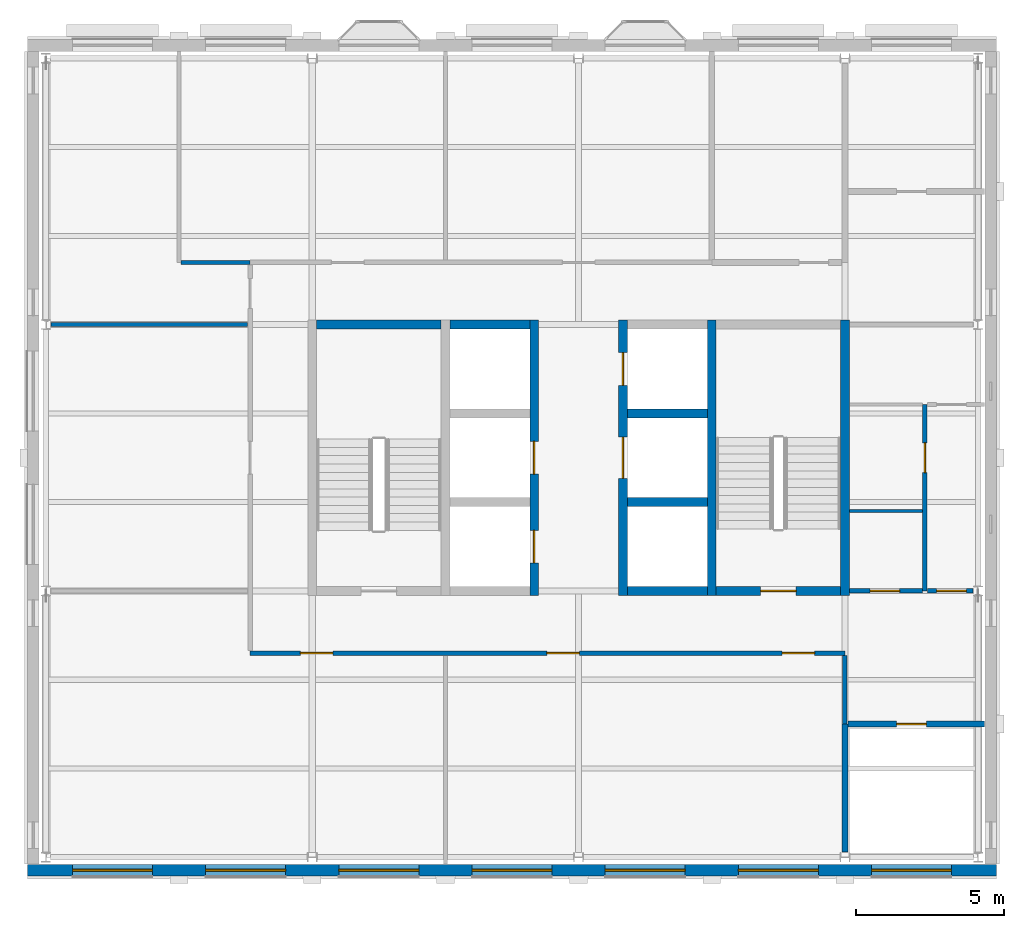
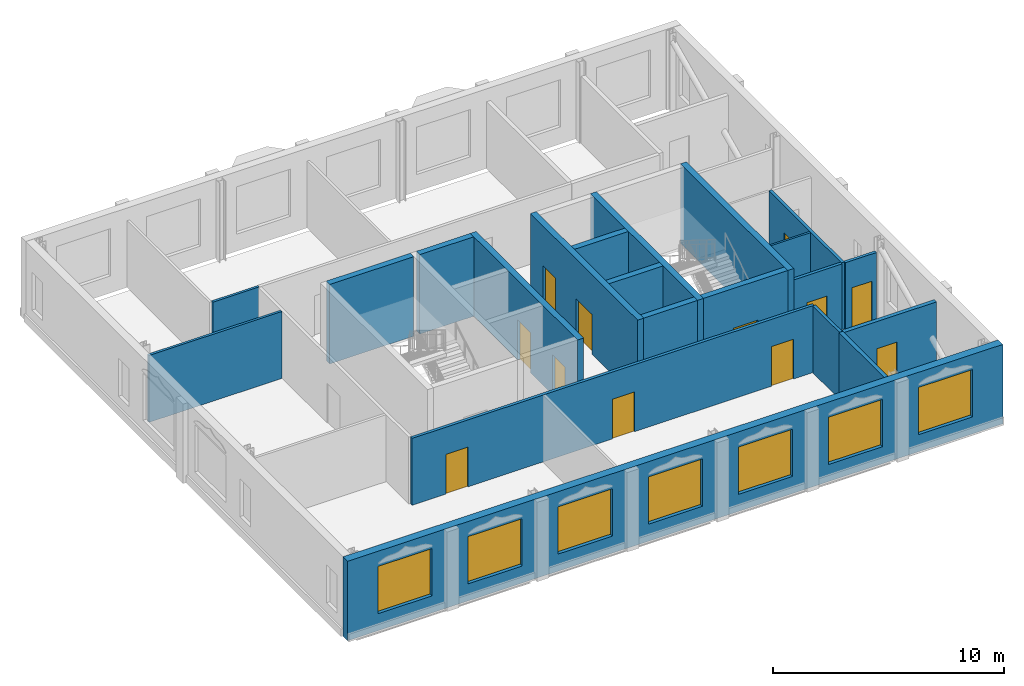
# One storey, part 4 of 9: 21 walls, 12 doors, 7 windows, 19 openings.
"""IFC4 building model written with IfcOpenShell, lengths in metres."""

from ifc_helpers import new_model, si_unit, direction, frame, frame_2d, origin, place, context, subcontext, project, spatial, rectangle, extrude, material, layer, layer_set, type_object, element, fill, save


model = new_model("IFC4")

# Units and contexts
model_context = context("Model", 3, precision=1e-05, world=origin(), true_north=direction((0.0, 1.0)))
body_context = subcontext(model_context, "Body", "Model", "MODEL_VIEW")
ifc_project = project(units=[si_unit("LENGTHUNIT", "METRE"), si_unit("AREAUNIT", "SQUARE_METRE"), si_unit("VOLUMEUNIT", "CUBIC_METRE"), si_unit("PLANEANGLEUNIT", "RADIAN"), si_unit("MASSUNIT", "GRAM", prefix="KILO")], contexts=[model_context])

# Site, building, storey
site_placement = place(None, origin())
site = spatial("IfcSite", under=ifc_project, at=site_placement, CompositionType="ELEMENT")
building_placement = place(site_placement, origin())
building = spatial("IfcBuilding", under=site, at=building_placement, Name="Hortulan Conservatory and Botanical Research Centre", CompositionType="ELEMENT")
storey_placement = place(building_placement, frame((0.0, 0.0, 31.800048828125)))
storey = spatial("IfcBuildingStorey", under=building, at=storey_placement, Name="L07", CompositionType="ELEMENT", Elevation=31.800048828125)

# Wall
ifc_material_1 = material(Name="Fire-rated plasterboard on steel studs", Category="steel")
ifc_layer_1 = layer(ifc_material_1, 0.199951171875)
ifc_layer_set_1 = layer_set([ifc_layer_1], Name="Compartment Partition 200")
wall_type_1 = type_object("IfcWallType", Name="Compartment Partition 200", PredefinedType="PARTITIONING", material=ifc_layer_set_1)
wall_1_placement = place(storey_placement, frame((27.0, 0.173583984375, 0.0), z_axis=(0.0, 0.0, 1.0), x_axis=(0.0, 1.0, 0.0)))
element("IfcWall", 1, at=wall_1_placement, inside=storey, type_object=wall_type_1, Name="Riser wall", PredefinedType="PARTITIONING", context=body_context, shape_type="SweptSolid", body=[
    extrude(rectangle(XDim=4.326416015625, YDim=0.199951171875, at=frame_2d((2.1630859375, 0.0))), origin(), (0.0, 0.0, 1.0), 3.536865234375),
])

# Wall, opening, door
wall_2_placement = place(storey_placement, frame((27.110107421875, 4.5, 0.0), z_axis=(0.0, 0.0, 1.0), x_axis=(1.0, 0.0, 0.0)))
wall_2 = element("IfcWall", 2, at=wall_2_placement, inside=storey, type_object=wall_type_1, Name="Riser wall", PredefinedType="PARTITIONING", context=body_context, shape_type="SweptSolid", body=[
    extrude(rectangle(XDim=4.60498046875, YDim=0.199951171875, at=frame_2d((2.302490234375, 0.0))), origin(), (0.0, 0.0, 1.0), 3.536865234375),
])
opening_1_placement = place(wall_2_placement, frame((1.639892578125, 0.0, 0.0)))
opening_1 = element("IfcOpeningElement", 3, at=opening_1_placement, cuts=wall_2, Name="Opening DT6", PredefinedType="OPENING", context=body_context, shape_type="SweptSolid", body=[
    extrude(rectangle(XDim=1.0, YDim=2.10009765625, at=frame_2d((0.5, 1.050048828125))), frame((0.0, 0.10986328125, 0.0), z_axis=(0.0, -1.0, 0.0), x_axis=(1.0, 0.0, 0.0)), (0.0, 0.0, 1.0), 0.219970703125),
])
ifc_material_2 = material(Name="Steel door leaf, insulated", Category="steel")
door_type_1 = type_object("IfcDoorType", Name="Fire Door 1000x2100 FRL -/120/30", OperationType="NOTDEFINED", PredefinedType="DOOR", material=ifc_material_2)
door_1_placement = place(opening_1_placement, frame((1.0, 0.0, 0.0), z_axis=(0.0, 0.0, 1.0), x_axis=(-1.0, 0.0, 0.0)))
door_1 = element("IfcDoor", 4, at=door_1_placement, inside=storey, type_object=door_type_1, Name="Door DT6 Services Riser", OperationType="SINGLE_SWING_LEFT", OverallHeight=2.10009765625, OverallWidth=1.0, PredefinedType="DOOR", context=body_context, shape_type="SweptSolid", body=[
    extrude(rectangle(XDim=1.0, YDim=2.10009765625, at=frame_2d((0.5, 1.050048828125))), frame((0.0, 0.02490234375, 0.0), z_axis=(0.0, -1.0, 0.0), x_axis=(1.0, 0.0, 0.0)), (0.0, 0.0, 1.0), 0.050048828125),
])
fill(opening_1, door_1)

# Wall, openings, doors
ifc_material_3 = material(Name="Concrete N50 (50 MPa, AS 3600)", Category="concrete")
ifc_layer_2 = layer(ifc_material_3, 0.300048828125)
ifc_layer_set_2 = layer_set([ifc_layer_2], Name="Core Wall 300 N50 FRL 240/120/120")
wall_type_2 = type_object("IfcWallType", Name="Core Wall 300 N50 FRL 240/120/120", PredefinedType="SHEAR", material=ifc_layer_set_2)
wall_3_placement = place(storey_placement, frame((16.5, 8.85009765625, 0.0), z_axis=(0.0, 0.0, 1.0), x_axis=(0.0, 1.0, 0.0)))
wall_3 = element("IfcWall", 5, at=wall_3_placement, inside=storey, type_object=wall_type_2, Name="Reinforced concrete shaft wall", PredefinedType="SHEAR", context=body_context, shape_type="SweptSolid", body=[
    extrude(rectangle(XDim=9.2998046875, YDim=0.300048828125, at=frame_2d((4.64990234375, 0.0))), origin(), (0.0, 0.0, 1.0), 4.199951171875),
])
opening_2_placement = place(wall_3_placement, frame((1.10009765625, 0.0, 0.0)))
opening_2 = element("IfcOpeningElement", 6, at=opening_2_placement, cuts=wall_3, Name="Opening LD1", PredefinedType="OPENING", context=body_context, shape_type="SweptSolid", body=[
    extrude(rectangle(XDim=1.10009765625, YDim=2.10009765625, at=frame_2d((0.550048828125, 1.050048828125))), frame((0.0, 0.159912109375, 0.0), z_axis=(0.0, -1.0, 0.0), x_axis=(1.0, 0.0, 0.0)), (0.0, 0.0, 1.0), 0.320068359375),
])
opening_3_placement = place(wall_3_placement, frame((4.10009765625, 0.0, 0.0)))
opening_3 = element("IfcOpeningElement", 7, at=opening_3_placement, cuts=wall_3, Name="Opening LD1", PredefinedType="OPENING", context=body_context, shape_type="SweptSolid", body=[
    extrude(rectangle(XDim=1.10009765625, YDim=2.10009765625, at=frame_2d((0.550048828125, 1.050048828125))), frame((0.0, 0.159912109375, 0.0), z_axis=(0.0, -1.0, 0.0), x_axis=(1.0, 0.0, 0.0)), (0.0, 0.0, 1.0), 0.320068359375),
])
ifc_material_4 = material(Name="Stainless steel door leaves in steel frame", Category="steel")
door_type_2 = type_object("IfcDoorType", Name="Lift Landing Door 1100x2100", OperationType="DOUBLE_DOOR_SLIDING", PredefinedType="DOOR", material=ifc_material_4)
door_2_placement = place(opening_2_placement, origin())
door_2 = element("IfcDoor", 8, at=door_2_placement, inside=storey, type_object=door_type_2, Name="Lift LP1 landing door L07", OperationType="DOUBLE_DOOR_SLIDING", OverallHeight=2.10009765625, OverallWidth=1.10009765625, PredefinedType="DOOR", context=body_context, shape_type="SweptSolid", body=[
    extrude(rectangle(XDim=1.10009765625, YDim=2.10009765625, at=frame_2d((0.550048828125, 1.050048828125))), frame((0.0, 0.02490234375, 0.0), z_axis=(0.0, -1.0, 0.0), x_axis=(1.0, 0.0, 0.0)), (0.0, 0.0, 1.0), 0.050048828125),
])
fill(opening_2, door_2)
door_3_placement = place(opening_3_placement, origin())
door_3 = element("IfcDoor", 9, at=door_3_placement, inside=storey, type_object=door_type_2, Name="Lift LP2 landing door L07", OperationType="DOUBLE_DOOR_SLIDING", OverallHeight=2.10009765625, OverallWidth=1.10009765625, PredefinedType="DOOR", context=body_context, shape_type="SweptSolid", body=[
    extrude(rectangle(XDim=1.10009765625, YDim=2.10009765625, at=frame_2d((0.550048828125, 1.050048828125))), frame((0.0, 0.02490234375, 0.0), z_axis=(0.0, -1.0, 0.0), x_axis=(1.0, 0.0, 0.0)), (0.0, 0.0, 1.0), 0.050048828125),
])
fill(opening_3, door_3)

wall_4_placement = place(storey_placement, frame((19.5, 8.85009765625, 0.0), z_axis=(0.0, 0.0, 1.0), x_axis=(0.0, 1.0, 0.0)))
wall_4 = element("IfcWall", 10, at=wall_4_placement, inside=storey, type_object=wall_type_2, Name="Reinforced concrete shaft wall", PredefinedType="SHEAR", context=body_context, shape_type="SweptSolid", body=[
    extrude(rectangle(XDim=9.2998046875, YDim=0.300048828125, at=frame_2d((4.64990234375, 0.0))), origin(), (0.0, 0.0, 1.0), 4.199951171875),
])
opening_4_placement = place(wall_4_placement, frame((3.949951171875, 0.0, 0.0)))
opening_4 = element("IfcOpeningElement", 11, at=opening_4_placement, cuts=wall_4, Name="Opening LD2", PredefinedType="OPENING", context=body_context, shape_type="SweptSolid", body=[
    extrude(rectangle(XDim=1.39990234375, YDim=2.10009765625, at=frame_2d((0.699951171875, 1.050048828125))), frame((0.0, 0.159912109375, 0.0), z_axis=(0.0, -1.0, 0.0), x_axis=(1.0, 0.0, 0.0)), (0.0, 0.0, 1.0), 0.320068359375),
])
opening_5_placement = place(wall_4_placement, frame((7.10009765625, 0.0, 0.0)))
opening_5 = element("IfcOpeningElement", 12, at=opening_5_placement, cuts=wall_4, Name="Opening LD1", PredefinedType="OPENING", context=body_context, shape_type="SweptSolid", body=[
    extrude(rectangle(XDim=1.10009765625, YDim=2.10009765625, at=frame_2d((0.550048828125, 1.050048828125))), frame((0.0, 0.159912109375, 0.0), z_axis=(0.0, -1.0, 0.0), x_axis=(1.0, 0.0, 0.0)), (0.0, 0.0, 1.0), 0.320068359375),
])
door_4_placement = place(opening_5_placement, origin())
door_4 = element("IfcDoor", 13, at=door_4_placement, inside=storey, type_object=door_type_2, Name="Lift LF1 landing door L07", OperationType="DOUBLE_DOOR_SLIDING", OverallHeight=2.10009765625, OverallWidth=1.10009765625, PredefinedType="DOOR", context=body_context, shape_type="SweptSolid", body=[
    extrude(rectangle(XDim=1.10009765625, YDim=2.10009765625, at=frame_2d((0.550048828125, 1.050048828125))), frame((0.0, 0.02490234375, 0.0), z_axis=(0.0, -1.0, 0.0), x_axis=(1.0, 0.0, 0.0)), (0.0, 0.0, 1.0), 0.050048828125),
])
fill(opening_5, door_4)
door_type_3 = type_object("IfcDoorType", Name="Lift Landing Door 1400x2100", OperationType="DOUBLE_DOOR_SLIDING", PredefinedType="DOOR", material=ifc_material_4)
door_5_placement = place(opening_4_placement, origin())
door_5 = element("IfcDoor", 14, at=door_5_placement, inside=storey, type_object=door_type_3, Name="Lift LG1 landing door L07", OperationType="DOUBLE_DOOR_SLIDING", OverallHeight=2.10009765625, OverallWidth=1.39990234375, PredefinedType="DOOR", context=body_context, shape_type="SweptSolid", body=[
    extrude(rectangle(XDim=1.39990234375, YDim=2.10009765625, at=frame_2d((0.699951171875, 1.050048828125))), frame((0.0, 0.02490234375, 0.0), z_axis=(0.0, -1.0, 0.0), x_axis=(1.0, 0.0, 0.0)), (0.0, 0.0, 1.0), 0.050048828125),
])
fill(opening_4, door_5)

# Walls
for number, where, z_axis, x_axis, name in (
    (15, (22.5, 8.85009765625, 0.0), (0.0, 0.0, 1.0), (0.0, 1.0, 0.0), "Reinforced concrete shaft wall"),
    (16, (27.0, 8.85009765625, 0.0), (0.0, 0.0, 1.0), (0.0, 1.0, 0.0), "Reinforced concrete shaft wall"),
):
    element("IfcWall", number, at=place(storey_placement, frame(where, z_axis=z_axis, x_axis=x_axis)), inside=storey, type_object=wall_type_2, Name=name, PredefinedType="SHEAR", context=body_context, shape_type="SweptSolid", body=[
        extrude(rectangle(XDim=9.2998046875, YDim=0.300048828125, at=frame_2d((4.64990234375, 0.0))), origin(), (0.0, 0.0, 1.0), 4.199951171875),
    ])
wall_5_placement = place(storey_placement, frame((19.64990234375, 9.0, 0.0), z_axis=(0.0, 0.0, 1.0), x_axis=(1.0, 0.0, 0.0)))
element("IfcWall", 17, at=wall_5_placement, inside=storey, type_object=wall_type_2, Name="Reinforced concrete shaft wall", PredefinedType="SHEAR", context=body_context, shape_type="SweptSolid", body=[
    extrude(rectangle(XDim=2.7001953125, YDim=0.300048828125, at=frame_2d((1.35009765625, 0.0))), origin(), (0.0, 0.0, 1.0), 4.199951171875),
])

# Wall, opening, door
wall_6_placement = place(storey_placement, frame((22.64990234375, 9.0, 0.0), z_axis=(0.0, 0.0, 1.0), x_axis=(1.0, 0.0, 0.0)))
wall_6 = element("IfcWall", 18, at=wall_6_placement, inside=storey, type_object=wall_type_2, Name="Reinforced concrete shaft wall", PredefinedType="SHEAR", context=body_context, shape_type="SweptSolid", body=[
    extrude(rectangle(XDim=4.2001953125, YDim=0.300048828125, at=frame_2d((2.10009765625, 0.0))), origin(), (0.0, 0.0, 1.0), 4.199951171875),
])
opening_6_placement = place(wall_6_placement, frame((1.5, 0.0, 0.0)))
opening_6 = element("IfcOpeningElement", 19, at=opening_6_placement, cuts=wall_6, Name="Opening DT5", PredefinedType="OPENING", context=body_context, shape_type="SweptSolid", body=[
    extrude(rectangle(XDim=1.199951171875, YDim=2.10009765625, at=frame_2d((0.60009765625, 1.050048828125))), frame((0.0, 0.159912109375, 0.0), z_axis=(0.0, -1.0, 0.0), x_axis=(1.0, 0.0, 0.0)), (0.0, 0.0, 1.0), 0.320068359375),
])
door_type_4 = type_object("IfcDoorType", Name="Stair Door 1200x2100 FRL -/120/30", OperationType="NOTDEFINED", PredefinedType="DOOR", material=ifc_material_2)
door_6_placement = place(opening_6_placement, origin())
door_6 = element("IfcDoor", 20, at=door_6_placement, inside=storey, type_object=door_type_4, Name="Door DT5 Exit Stair T2", OperationType="SINGLE_SWING_LEFT", OverallHeight=2.10009765625, OverallWidth=1.199951171875, PredefinedType="DOOR", context=body_context, shape_type="SweptSolid", body=[
    extrude(rectangle(XDim=1.199951171875, YDim=2.10009765625, at=frame_2d((0.60009765625, 1.050048828125))), frame((0.0, 0.02490234375, 0.0), z_axis=(0.0, -1.0, 0.0), x_axis=(1.0, 0.0, 0.0)), (0.0, 0.0, 1.0), 0.050048828125),
])
fill(opening_6, door_6)

# Walls
for number, where, z_axis, x_axis, name in (
    (21, (19.64990234375, 12.0, 0.0), (0.0, 0.0, 1.0), (1.0, 0.0, 0.0), "Reinforced concrete shaft wall"),
    (22, (19.64990234375, 15.0, 0.0), (0.0, 0.0, 1.0), (1.0, 0.0, 0.0), "Reinforced concrete shaft wall"),
):
    element("IfcWall", number, at=place(storey_placement, frame(where, z_axis=z_axis, x_axis=x_axis)), inside=storey, type_object=wall_type_2, Name=name, PredefinedType="SHEAR", context=body_context, shape_type="SweptSolid", body=[
        extrude(rectangle(XDim=2.7001953125, YDim=0.300048828125, at=frame_2d((1.35009765625, 0.0))), origin(), (0.0, 0.0, 1.0), 4.199951171875),
    ])
wall_7_placement = place(storey_placement, frame((9.14990234375, 18.0, 0.0), z_axis=(0.0, 0.0, 1.0), x_axis=(1.0, 0.0, 0.0)))
element("IfcWall", 23, at=wall_7_placement, inside=storey, type_object=wall_type_2, Name="Reinforced concrete shaft wall", PredefinedType="SHEAR", context=body_context, shape_type="SweptSolid", body=[
    extrude(rectangle(XDim=4.2001953125, YDim=0.300048828125, at=frame_2d((2.10009765625, 0.0))), origin(), (0.0, 0.0, 1.0), 4.199951171875),
])
wall_8_placement = place(storey_placement, frame((13.64990234375, 18.0, 0.0), z_axis=(0.0, 0.0, 1.0), x_axis=(1.0, 0.0, 0.0)))
element("IfcWall", 24, at=wall_8_placement, inside=storey, type_object=wall_type_2, Name="Reinforced concrete shaft wall", PredefinedType="SHEAR", context=body_context, shape_type="SweptSolid", body=[
    extrude(rectangle(XDim=2.7001953125, YDim=0.300048828125, at=frame_2d((1.35009765625, 0.0))), origin(), (0.0, 0.0, 1.0), 4.199951171875),
])
ifc_material_5 = material(Name="Plasterboard on steel studs", Category="steel")
ifc_layer_3 = layer(ifc_material_5, 0.14990234375)
ifc_layer_set_3 = layer_set([ifc_layer_3], Name="Corridor Partition 150")
wall_type_3 = type_object("IfcWallType", Name="Corridor Partition 150", PredefinedType="PARTITIONING", material=ifc_layer_set_3)
wall_9_placement = place(storey_placement, frame((27.0, 4.510009765625, 0.0), z_axis=(0.0, 0.0, 1.0), x_axis=(0.0, 1.0, 0.0)))
element("IfcWall", 25, at=wall_9_placement, inside=storey, type_object=wall_type_3, Name="Corridor partition", PredefinedType="PARTITIONING", context=body_context, shape_type="SweptSolid", body=[
    extrude(rectangle(XDim=2.304931640625, YDim=0.14990234375, at=frame_2d((1.15234375, 0.0))), origin(), (0.0, 0.0, 1.0), 3.536865234375),
])

# Wall, openings, doors
wall_10_placement = place(storey_placement, frame((6.89990234375, 6.89990234375, 0.0), z_axis=(0.0, 0.0, 1.0), x_axis=(1.0, 0.0, 0.0)))
wall_10 = element("IfcWall", 26, at=wall_10_placement, inside=storey, type_object=wall_type_3, Name="Corridor partition", PredefinedType="PARTITIONING", context=body_context, shape_type="SweptSolid", body=[
    extrude(rectangle(XDim=20.10009765625, YDim=0.14990234375, at=frame_2d((10.050048828125, 0.0))), origin(), (0.0, 0.0, 1.0), 3.536865234375),
])
opening_7_placement = place(wall_10_placement, frame((1.699951171875, 0.0, 0.0)))
opening_7 = element("IfcOpeningElement", 27, at=opening_7_placement, cuts=wall_10, Name="Opening DT3", PredefinedType="OPENING", context=body_context, shape_type="SweptSolid", body=[
    extrude(rectangle(XDim=1.10009765625, YDim=2.10009765625, at=frame_2d((0.550048828125, 1.050048828125))), frame((0.0, 0.0849609375, 0.0), z_axis=(0.0, -1.0, 0.0), x_axis=(1.0, 0.0, 0.0)), (0.0, 0.0, 1.0), 0.169921875),
])
opening_8_placement = place(wall_10_placement, frame((17.97509765625, 0.0, 0.0)))
opening_8 = element("IfcOpeningElement", 28, at=opening_8_placement, cuts=wall_10, Name="Opening DT3", PredefinedType="OPENING", context=body_context, shape_type="SweptSolid", body=[
    extrude(rectangle(XDim=1.10009765625, YDim=2.10009765625, at=frame_2d((0.550048828125, 1.050048828125))), frame((0.0, 0.0849609375, 0.0), z_axis=(0.0, -1.0, 0.0), x_axis=(1.0, 0.0, 0.0)), (0.0, 0.0, 1.0), 0.169921875),
])
opening_9_placement = place(wall_10_placement, frame((10.02490234375, 0.0, 0.0)))
opening_9 = element("IfcOpeningElement", 29, at=opening_9_placement, cuts=wall_10, Name="Opening DT3", PredefinedType="OPENING", context=body_context, shape_type="SweptSolid", body=[
    extrude(rectangle(XDim=1.10009765625, YDim=2.10009765625, at=frame_2d((0.550048828125, 1.050048828125))), frame((0.0, 0.0849609375, 0.0), z_axis=(0.0, -1.0, 0.0), x_axis=(1.0, 0.0, 0.0)), (0.0, 0.0, 1.0), 0.169921875),
])
ifc_material_6 = material(Name="Timber door leaf with vision panel", Category="wood")
door_type_5 = type_object("IfcDoorType", Name="Laboratory Door 1100x2100", OperationType="NOTDEFINED", PredefinedType="DOOR", material=ifc_material_6)
door_7_placement = place(opening_7_placement, frame((1.10009765625, 0.0, 0.0), z_axis=(0.0, 0.0, 1.0), x_axis=(-1.0, 0.0, 0.0)))
door_7 = element("IfcDoor", 30, at=door_7_placement, inside=storey, type_object=door_type_5, Name="Door DT3 Research Laboratory", OperationType="SINGLE_SWING_RIGHT", OverallHeight=2.10009765625, OverallWidth=1.10009765625, PredefinedType="DOOR", context=body_context, shape_type="SweptSolid", body=[
    extrude(rectangle(XDim=1.10009765625, YDim=2.10009765625, at=frame_2d((0.550048828125, 1.050048828125))), frame((0.0, 0.02490234375, 0.0), z_axis=(0.0, -1.0, 0.0), x_axis=(1.0, 0.0, 0.0)), (0.0, 0.0, 1.0), 0.050048828125),
])
fill(opening_7, door_7)
door_8_placement = place(opening_8_placement, frame((1.10009765625, 0.0, 0.0), z_axis=(0.0, 0.0, 1.0), x_axis=(-1.0, 0.0, 0.0)))
door_8 = element("IfcDoor", 31, at=door_8_placement, inside=storey, type_object=door_type_5, Name="Door DT3 Molecular Biology Laboratory", OperationType="SINGLE_SWING_LEFT", OverallHeight=2.10009765625, OverallWidth=1.10009765625, PredefinedType="DOOR", context=body_context, shape_type="SweptSolid", body=[
    extrude(rectangle(XDim=1.10009765625, YDim=2.10009765625, at=frame_2d((0.550048828125, 1.050048828125))), frame((0.0, 0.02490234375, 0.0), z_axis=(0.0, -1.0, 0.0), x_axis=(1.0, 0.0, 0.0)), (0.0, 0.0, 1.0), 0.050048828125),
])
fill(opening_8, door_8)
door_9_placement = place(opening_9_placement, frame((1.10009765625, 0.0, 0.0), z_axis=(0.0, 0.0, 1.0), x_axis=(-1.0, 0.0, 0.0)))
door_9 = element("IfcDoor", 32, at=door_9_placement, inside=storey, type_object=door_type_5, Name="Door DT3 Molecular Biology Laboratory", OperationType="SINGLE_SWING_RIGHT", OverallHeight=2.10009765625, OverallWidth=1.10009765625, PredefinedType="DOOR", context=body_context, shape_type="SweptSolid", body=[
    extrude(rectangle(XDim=1.10009765625, YDim=2.10009765625, at=frame_2d((0.550048828125, 1.050048828125))), frame((0.0, 0.02490234375, 0.0), z_axis=(0.0, -1.0, 0.0), x_axis=(1.0, 0.0, 0.0)), (0.0, 0.0, 1.0), 0.050048828125),
])
fill(opening_9, door_9)

# Wall, opening, door
wall_11_placement = place(storey_placement, frame((27.159912109375, 9.0, 0.0), z_axis=(0.0, 0.0, 1.0), x_axis=(1.0, 0.0, 0.0)))
wall_11 = element("IfcWall", 33, at=wall_11_placement, inside=storey, type_object=wall_type_3, Name="Corridor partition", PredefinedType="PARTITIONING", context=body_context, shape_type="SweptSolid", body=[
    extrude(rectangle(XDim=2.455078125, YDim=0.14990234375, at=frame_2d((1.2275390625, 0.0))), origin(), (0.0, 0.0, 1.0), 3.536865234375),
])
opening_10_placement = place(wall_11_placement, frame((0.68994140625, 0.0, 0.0)))
opening_10 = element("IfcOpeningElement", 34, at=opening_10_placement, cuts=wall_11, Name="Opening DT1", PredefinedType="OPENING", context=body_context, shape_type="SweptSolid", body=[
    extrude(rectangle(XDim=1.0, YDim=2.10009765625, at=frame_2d((0.5, 1.050048828125))), frame((0.0, 0.0849609375, 0.0), z_axis=(0.0, -1.0, 0.0), x_axis=(1.0, 0.0, 0.0)), (0.0, 0.0, 1.0), 0.169921875),
])
ifc_material_7 = material(Name="Timber door leaf in timber frame", Category="wood")
door_type_6 = type_object("IfcDoorType", Name="Single Door 1000x2100", OperationType="NOTDEFINED", PredefinedType="DOOR", material=ifc_material_7)
door_10_placement = place(opening_10_placement, origin())
door_10 = element("IfcDoor", 35, at=door_10_placement, inside=storey, type_object=door_type_6, Name="Door DT1 Accessible WC", OperationType="SINGLE_SWING_RIGHT", OverallHeight=2.10009765625, OverallWidth=1.0, PredefinedType="DOOR", context=body_context, shape_type="SweptSolid", body=[
    extrude(rectangle(XDim=1.0, YDim=2.10009765625, at=frame_2d((0.5, 1.050048828125))), frame((0.0, 0.02490234375, 0.0), z_axis=(0.0, -1.0, 0.0), x_axis=(1.0, 0.0, 0.0)), (0.0, 0.0, 1.0), 0.050048828125),
])
fill(opening_10, door_10)

# Wall, openings, windows
ifc_material_8 = material(Name="Faience-faced brickwork masonry", Category="masonry")
ifc_layer_4 = layer(ifc_material_8, 0.39990234375)
ifc_layer_set_4 = layer_set([ifc_layer_4], Name="Faience-faced Masonry Cavity Wall 400")
wall_type_4 = type_object("IfcWallType", Name="Faience-faced Masonry Cavity Wall 400", PredefinedType="STANDARD", material=ifc_layer_set_4)
wall_12_placement = place(storey_placement, frame((32.125, -0.43603515625, 0.0), z_axis=(0.0, 0.0, 1.0), x_axis=(-1.0, 0.0, 0.0)))
wall_12 = element("IfcWall", 36, at=wall_12_placement, inside=storey, type_object=wall_type_4, Name="E-EW-TW-L07-S1", PredefinedType="STANDARD", context=body_context, shape_type="SweptSolid", body=[
    extrude(rectangle(XDim=32.75, YDim=0.39990234375, at=frame_2d((16.375, 0.0))), origin(), (0.0, 0.0, 1.0), 4.199951171875),
])
opening_11_placement = place(wall_12_placement, frame((28.52490234375, 0.0, 0.89990234375)))
opening_11 = element("IfcOpeningElement", 37, at=opening_11_placement, cuts=wall_12, Name="Opening W4", PredefinedType="OPENING", context=body_context, shape_type="SweptSolid", body=[
    extrude(rectangle(XDim=2.699951171875, YDim=2.5, at=frame_2d((1.35009765625, 1.25))), frame((0.0, 0.2099609375, 0.0), z_axis=(0.0, -1.0, 0.0), x_axis=(1.0, 0.0, 0.0)), (0.0, 0.0, 1.0), 0.419921875),
])
opening_12_placement = place(wall_12_placement, frame((24.02490234375, 0.0, 0.89990234375)))
opening_12 = element("IfcOpeningElement", 38, at=opening_12_placement, cuts=wall_12, Name="Opening W4", PredefinedType="OPENING", context=body_context, shape_type="SweptSolid", body=[
    extrude(rectangle(XDim=2.699951171875, YDim=2.5, at=frame_2d((1.35009765625, 1.25))), frame((0.0, 0.2099609375, 0.0), z_axis=(0.0, -1.0, 0.0), x_axis=(1.0, 0.0, 0.0)), (0.0, 0.0, 1.0), 0.419921875),
])
opening_13_placement = place(wall_12_placement, frame((19.52490234375, 0.0, 0.89990234375)))
opening_13 = element("IfcOpeningElement", 39, at=opening_13_placement, cuts=wall_12, Name="Opening W4", PredefinedType="OPENING", context=body_context, shape_type="SweptSolid", body=[
    extrude(rectangle(XDim=2.699951171875, YDim=2.5, at=frame_2d((1.35009765625, 1.25))), frame((0.0, 0.2099609375, 0.0), z_axis=(0.0, -1.0, 0.0), x_axis=(1.0, 0.0, 0.0)), (0.0, 0.0, 1.0), 0.419921875),
])
opening_14_placement = place(wall_12_placement, frame((15.02490234375, 0.0, 0.89990234375)))
opening_14 = element("IfcOpeningElement", 40, at=opening_14_placement, cuts=wall_12, Name="Opening W4", PredefinedType="OPENING", context=body_context, shape_type="SweptSolid", body=[
    extrude(rectangle(XDim=2.699951171875, YDim=2.5, at=frame_2d((1.35009765625, 1.25))), frame((0.0, 0.2099609375, 0.0), z_axis=(0.0, -1.0, 0.0), x_axis=(1.0, 0.0, 0.0)), (0.0, 0.0, 1.0), 0.419921875),
])
opening_15_placement = place(wall_12_placement, frame((10.52490234375, 0.0, 0.89990234375)))
opening_15 = element("IfcOpeningElement", 41, at=opening_15_placement, cuts=wall_12, Name="Opening W4", PredefinedType="OPENING", context=body_context, shape_type="SweptSolid", body=[
    extrude(rectangle(XDim=2.699951171875, YDim=2.5, at=frame_2d((1.35009765625, 1.25))), frame((0.0, 0.2099609375, 0.0), z_axis=(0.0, -1.0, 0.0), x_axis=(1.0, 0.0, 0.0)), (0.0, 0.0, 1.0), 0.419921875),
])
opening_16_placement = place(wall_12_placement, frame((6.02490234375, 0.0, 0.89990234375)))
opening_16 = element("IfcOpeningElement", 42, at=opening_16_placement, cuts=wall_12, Name="Opening W4", PredefinedType="OPENING", context=body_context, shape_type="SweptSolid", body=[
    extrude(rectangle(XDim=2.699951171875, YDim=2.5, at=frame_2d((1.35009765625, 1.25))), frame((0.0, 0.2099609375, 0.0), z_axis=(0.0, -1.0, 0.0), x_axis=(1.0, 0.0, 0.0)), (0.0, 0.0, 1.0), 0.419921875),
])
opening_17_placement = place(wall_12_placement, frame((1.52490234375, 0.0, 0.89990234375)))
opening_17 = element("IfcOpeningElement", 43, at=opening_17_placement, cuts=wall_12, Name="Opening W4", PredefinedType="OPENING", context=body_context, shape_type="SweptSolid", body=[
    extrude(rectangle(XDim=2.699951171875, YDim=2.5, at=frame_2d((1.35009765625, 1.25))), frame((0.0, 0.2099609375, 0.0), z_axis=(0.0, -1.0, 0.0), x_axis=(1.0, 0.0, 0.0)), (0.0, 0.0, 1.0), 0.419921875),
])
ifc_material_9 = material(Name="Bronze-finished aluminium frame with low-e laminated double glazing", Category="aluminium")
window_type = type_object("IfcWindowType", Name="Faience Window 2700x2500", PartitioningType="SINGLE_PANEL", PredefinedType="WINDOW", material=ifc_material_9)
window_1_placement = place(opening_11_placement, origin())
window_1 = element("IfcWindow", 44, at=window_1_placement, inside=storey, type_object=window_type, Name="Faience window", OverallHeight=2.5, OverallWidth=2.699951171875, PartitioningType="SINGLE_PANEL", PredefinedType="WINDOW", context=body_context, shape_type="SweptSolid", body=[
    extrude(rectangle(XDim=2.699951171875, YDim=2.5, at=frame_2d((1.35009765625, 1.25))), frame((0.0, 0.030029296875, 0.0), z_axis=(0.0, -1.0, 0.0), x_axis=(1.0, 0.0, 0.0)), (0.0, 0.0, 1.0), 0.06005859375),
])
fill(opening_11, window_1)
window_2_placement = place(opening_12_placement, origin())
window_2 = element("IfcWindow", 45, at=window_2_placement, inside=storey, type_object=window_type, Name="Faience window", OverallHeight=2.5, OverallWidth=2.699951171875, PartitioningType="SINGLE_PANEL", PredefinedType="WINDOW", context=body_context, shape_type="SweptSolid", body=[
    extrude(rectangle(XDim=2.699951171875, YDim=2.5, at=frame_2d((1.35009765625, 1.25))), frame((0.0, 0.030029296875, 0.0), z_axis=(0.0, -1.0, 0.0), x_axis=(1.0, 0.0, 0.0)), (0.0, 0.0, 1.0), 0.06005859375),
])
fill(opening_12, window_2)
window_3_placement = place(opening_13_placement, origin())
window_3 = element("IfcWindow", 46, at=window_3_placement, inside=storey, type_object=window_type, Name="Faience window", OverallHeight=2.5, OverallWidth=2.699951171875, PartitioningType="SINGLE_PANEL", PredefinedType="WINDOW", context=body_context, shape_type="SweptSolid", body=[
    extrude(rectangle(XDim=2.699951171875, YDim=2.5, at=frame_2d((1.35009765625, 1.25))), frame((0.0, 0.030029296875, 0.0), z_axis=(0.0, -1.0, 0.0), x_axis=(1.0, 0.0, 0.0)), (0.0, 0.0, 1.0), 0.06005859375),
])
fill(opening_13, window_3)
window_4_placement = place(opening_14_placement, origin())
window_4 = element("IfcWindow", 47, at=window_4_placement, inside=storey, type_object=window_type, Name="Faience window", OverallHeight=2.5, OverallWidth=2.699951171875, PartitioningType="SINGLE_PANEL", PredefinedType="WINDOW", context=body_context, shape_type="SweptSolid", body=[
    extrude(rectangle(XDim=2.699951171875, YDim=2.5, at=frame_2d((1.35009765625, 1.25))), frame((0.0, 0.030029296875, 0.0), z_axis=(0.0, -1.0, 0.0), x_axis=(1.0, 0.0, 0.0)), (0.0, 0.0, 1.0), 0.06005859375),
])
fill(opening_14, window_4)
window_5_placement = place(opening_15_placement, origin())
window_5 = element("IfcWindow", 48, at=window_5_placement, inside=storey, type_object=window_type, Name="Faience window", OverallHeight=2.5, OverallWidth=2.699951171875, PartitioningType="SINGLE_PANEL", PredefinedType="WINDOW", context=body_context, shape_type="SweptSolid", body=[
    extrude(rectangle(XDim=2.699951171875, YDim=2.5, at=frame_2d((1.35009765625, 1.25))), frame((0.0, 0.030029296875, 0.0), z_axis=(0.0, -1.0, 0.0), x_axis=(1.0, 0.0, 0.0)), (0.0, 0.0, 1.0), 0.06005859375),
])
fill(opening_15, window_5)
window_6_placement = place(opening_16_placement, origin())
window_6 = element("IfcWindow", 49, at=window_6_placement, inside=storey, type_object=window_type, Name="Faience window", OverallHeight=2.5, OverallWidth=2.699951171875, PartitioningType="SINGLE_PANEL", PredefinedType="WINDOW", context=body_context, shape_type="SweptSolid", body=[
    extrude(rectangle(XDim=2.699951171875, YDim=2.5, at=frame_2d((1.35009765625, 1.25))), frame((0.0, 0.030029296875, 0.0), z_axis=(0.0, -1.0, 0.0), x_axis=(1.0, 0.0, 0.0)), (0.0, 0.0, 1.0), 0.06005859375),
])
fill(opening_16, window_6)
window_7_placement = place(opening_17_placement, origin())
window_7 = element("IfcWindow", 50, at=window_7_placement, inside=storey, type_object=window_type, Name="Faience window", OverallHeight=2.5, OverallWidth=2.699951171875, PartitioningType="SINGLE_PANEL", PredefinedType="WINDOW", context=body_context, shape_type="SweptSolid", body=[
    extrude(rectangle(XDim=2.699951171875, YDim=2.5, at=frame_2d((1.35009765625, 1.25))), frame((0.0, 0.030029296875, 0.0), z_axis=(0.0, -1.0, 0.0), x_axis=(1.0, 0.0, 0.0)), (0.0, 0.0, 1.0), 0.06005859375),
])
fill(opening_17, window_7)

# Wall, opening, door
ifc_layer_5 = layer(ifc_material_1, 0.14990234375)
ifc_layer_set_5 = layer_set([ifc_layer_5], Name="Lobby Partition 150")
wall_type_5 = type_object("IfcWallType", Name="Lobby Partition 150", PredefinedType="PARTITIONING", material=ifc_layer_set_5)
wall_13_placement = place(storey_placement, frame((29.699951171875, 9.0, 0.0), z_axis=(0.0, 0.0, 1.0), x_axis=(0.0, 1.0, 0.0)))
wall_13 = element("IfcWall", 51, at=wall_13_placement, inside=storey, type_object=wall_type_5, Name="Lobby partition", PredefinedType="PARTITIONING", context=body_context, shape_type="SweptSolid", body=[
    extrude(rectangle(XDim=6.300048828125, YDim=0.14990234375, at=frame_2d((3.14990234375, 0.0))), origin(), (0.0, 0.0, 1.0), 3.536865234375),
])
opening_18_placement = place(wall_13_placement, frame((4.0, 0.0, 0.0)))
opening_18 = element("IfcOpeningElement", 52, at=opening_18_placement, cuts=wall_13, Name="Opening DT4", PredefinedType="OPENING", context=body_context, shape_type="SweptSolid", body=[
    extrude(rectangle(XDim=1.0, YDim=2.10009765625, at=frame_2d((0.5, 1.050048828125))), frame((0.0, 0.0849609375, 0.0), z_axis=(0.0, -1.0, 0.0), x_axis=(1.0, 0.0, 0.0)), (0.0, 0.0, 1.0), 0.169921875),
])
door_type_7 = type_object("IfcDoorType", Name="Fire Door 1000x2100 FRL -/60/30", OperationType="NOTDEFINED", PredefinedType="DOOR", material=ifc_material_2)
door_11_placement = place(opening_18_placement, origin())
door_11 = element("IfcDoor", 53, at=door_11_placement, inside=storey, type_object=door_type_7, Name="Door DT4 Women's WC", OperationType="SINGLE_SWING_LEFT", OverallHeight=2.10009765625, OverallWidth=1.0, PredefinedType="DOOR", context=body_context, shape_type="SweptSolid", body=[
    extrude(rectangle(XDim=1.0, YDim=2.10009765625, at=frame_2d((0.5, 1.050048828125))), frame((0.0, 0.02490234375, 0.0), z_axis=(0.0, -1.0, 0.0), x_axis=(1.0, 0.0, 0.0)), (0.0, 0.0, 1.0), 0.050048828125),
])
fill(opening_18, door_11)

wall_14_placement = place(storey_placement, frame((29.784912109375, 9.0, 0.0), z_axis=(0.0, 0.0, 1.0), x_axis=(1.0, 0.0, 0.0)))
wall_14 = element("IfcWall", 54, at=wall_14_placement, inside=storey, type_object=wall_type_5, Name="Lobby partition", PredefinedType="PARTITIONING", context=body_context, shape_type="SweptSolid", body=[
    extrude(rectangle(XDim=1.549560546875, YDim=0.14990234375, at=frame_2d((0.77490234375, 0.0))), origin(), (0.0, 0.0, 1.0), 3.536865234375),
])
opening_19_placement = place(wall_14_placement, frame((0.31494140625, 0.0, 0.0)))
opening_19 = element("IfcOpeningElement", 55, at=opening_19_placement, cuts=wall_14, Name="Opening DT4", PredefinedType="OPENING", context=body_context, shape_type="SweptSolid", body=[
    extrude(rectangle(XDim=1.0, YDim=2.10009765625, at=frame_2d((0.5, 1.050048828125))), frame((0.0, 0.0849609375, 0.0), z_axis=(0.0, -1.0, 0.0), x_axis=(1.0, 0.0, 0.0)), (0.0, 0.0, 1.0), 0.169921875),
])
door_12_placement = place(opening_19_placement, origin())
door_12 = element("IfcDoor", 56, at=door_12_placement, inside=storey, type_object=door_type_7, Name="Door DT4 WC Lobby", OperationType="SINGLE_SWING_LEFT", OverallHeight=2.10009765625, OverallWidth=1.0, PredefinedType="DOOR", context=body_context, shape_type="SweptSolid", body=[
    extrude(rectangle(XDim=1.0, YDim=2.10009765625, at=frame_2d((0.5, 1.050048828125))), frame((0.0, 0.02490234375, 0.0), z_axis=(0.0, -1.0, 0.0), x_axis=(1.0, 0.0, 0.0)), (0.0, 0.0, 1.0), 0.050048828125),
])
fill(opening_19, door_12)

# Walls
ifc_layer_6 = layer(ifc_material_5, 0.125)
ifc_layer_set_6 = layer_set([ifc_layer_6], Name="Partition 125")
wall_type_6 = type_object("IfcWallType", Name="Partition 125", PredefinedType="PARTITIONING", material=ifc_layer_set_6)
wall_15_placement = place(storey_placement, frame((0.16552734375, 18.0, 0.0), z_axis=(0.0, 0.0, 1.0), x_axis=(1.0, 0.0, 0.0)))
element("IfcWall", 57, at=wall_15_placement, inside=storey, type_object=wall_type_6, Name="Partition", PredefinedType="PARTITIONING", context=body_context, shape_type="SweptSolid", body=[
    extrude(rectangle(XDim=6.6494140625, YDim=0.125, at=frame_2d((3.32470703125, 0.0))), origin(), (0.0, 0.0, 1.0), 3.536865234375),
])
wall_16_placement = place(storey_placement, frame((4.572509765625, 20.10009765625, 0.0), z_axis=(0.0, 0.0, 1.0), x_axis=(1.0, 0.0, 0.0)))
element("IfcWall", 58, at=wall_16_placement, inside=storey, type_object=wall_type_6, Name="Partition", PredefinedType="PARTITIONING", context=body_context, shape_type="SweptSolid", body=[
    extrude(rectangle(XDim=2.3173828125, YDim=0.125, at=frame_2d((1.15869140625, 0.0))), origin(), (0.0, 0.0, 1.0), 3.536865234375),
])
ifc_material_10 = material(Name="Moisture-resistant plasterboard on steel studs", Category="steel")
ifc_layer_7 = layer(ifc_material_10, 0.10009765625)
ifc_layer_set_7 = layer_set([ifc_layer_7], Name="Wet Area Partition 100")
wall_type_7 = type_object("IfcWallType", Name="Wet Area Partition 100", PredefinedType="PARTITIONING", material=ifc_layer_set_7)
wall_17_placement = place(storey_placement, frame((27.159912109375, 11.699951171875, 0.0), z_axis=(0.0, 0.0, 1.0), x_axis=(1.0, 0.0, 0.0)))
element("IfcWall", 59, at=wall_17_placement, inside=storey, type_object=wall_type_7, Name="Toilet partition", PredefinedType="PARTITIONING", context=body_context, shape_type="SweptSolid", body=[
    extrude(rectangle(XDim=2.455078125, YDim=0.10009765625, at=frame_2d((1.2275390625, 0.0))), origin(), (0.0, 0.0, 1.0), 3.536865234375),
])

save(model, "model.ifc")
